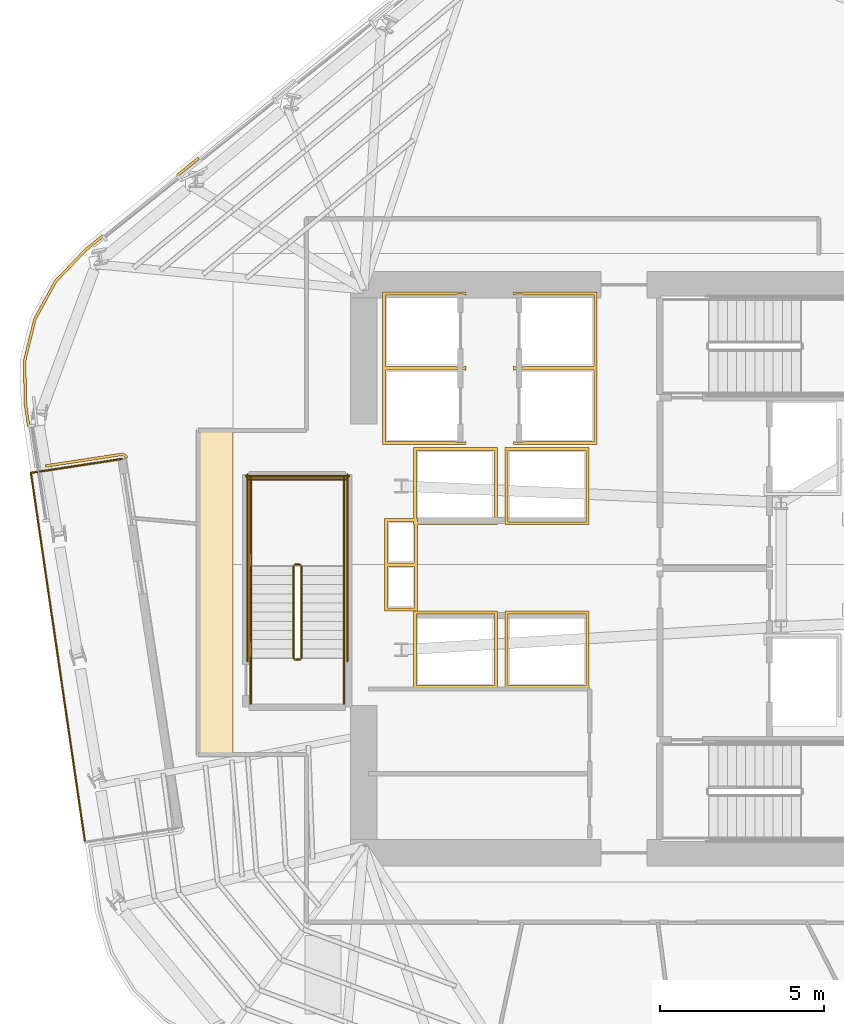
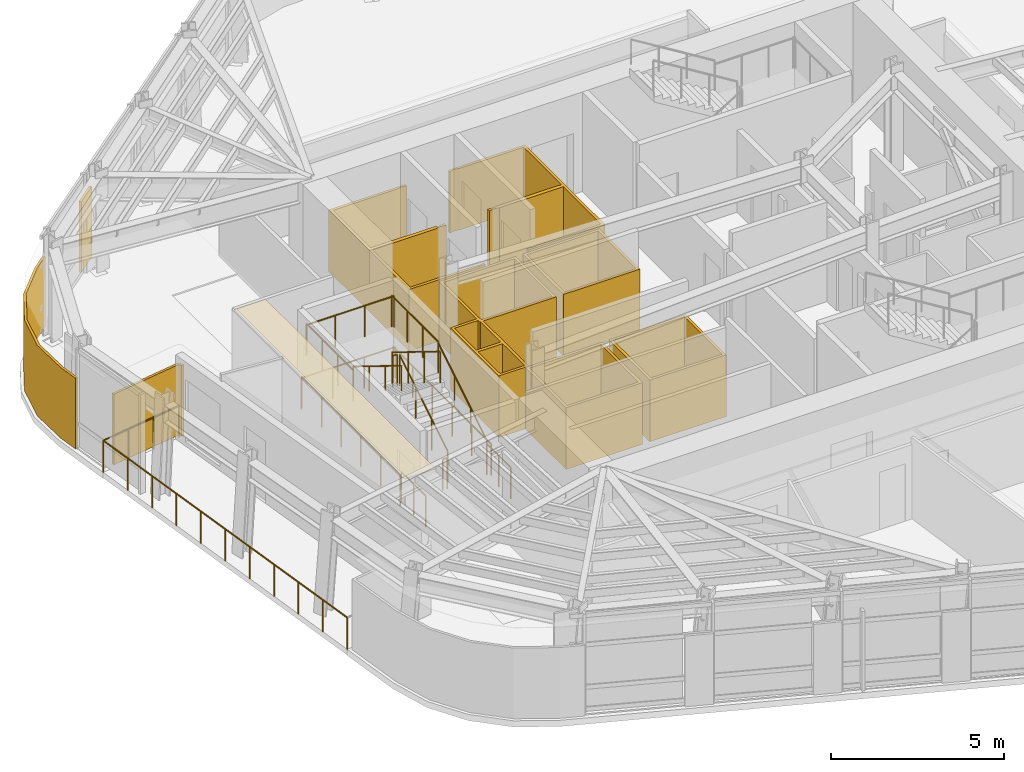
# One storey, part 12 of 15: 16 railings, 10 coverings.
"""IFC4 building model written with IfcOpenShell, lengths in metres."""

import ifcopenshell
import ifcopenshell.guid

model = None  # the IFC model being written
_history = None  # IfcOwnerHistory: only IFC2X3 demands one
_inside = {}  # id of a spatial element -> (the spatial element, [elements in it])
_under = {}  # id of a project, library or spatial element -> (it, [spatial elements below it])
_declared = {}  # id of a project -> (the project, [libraries it declares])
_typed = {}  # id of a type object -> (the type object, [elements of that type])
_made_of = {}  # id of a material, layer set ... -> (it, [elements and type objects made of it])


def new_model(schema):
    """Start an empty IFC model of exactly this schema.

    Asked for "IFC4X3", IfcOpenShell would pick the latest addendum, in which some entities
    have other attributes; the version numbers below select the first issue.
    IFC2X3 requires an IfcOwnerHistory on every rooted entity: one is made here for all.
    """
    global model, _history
    if schema == "IFC4X3":
        model = ifcopenshell.file(schema_version=(4, 3, 0, 0))
    else:
        model = ifcopenshell.file(schema=schema)
    _inside.clear()
    _under.clear()
    _declared.clear()
    _typed.clear()
    _made_of.clear()
    _history = None
    if model.schema == "IFC2X3":
        org = make("IfcOrganization", Name="unknown")
        user = make(
            "IfcPersonAndOrganization",
            ThePerson=make("IfcPerson", FamilyName="unknown"),
            TheOrganization=org,
        )
        app = make(
            "IfcApplication",
            ApplicationDeveloper=org,
            Version="unknown",
            ApplicationFullName="unknown",
            ApplicationIdentifier="unknown",
        )
        _history = make(
            "IfcOwnerHistory",
            OwningUser=user,
            OwningApplication=app,
            ChangeAction="ADDED",
            CreationDate=0,
        )
    return model


def make(cls, **values):
    """One entity of the class cls with the attributes given. An attribute that is None is left unset."""
    return model.create_entity(
        cls, **{name: value for name, value in values.items() if value is not None}
    )


def rooted(cls, **values):
    """An entity with a GlobalId (a new one), such as an element, a storey or a relation."""
    return make(cls, GlobalId=ifcopenshell.guid.new(), OwnerHistory=_history, **values)


def si_unit(unit_type, name, prefix=None):
    """IfcSIUnit, for example si_unit("LENGTHUNIT", "METRE", prefix="MILLI")."""
    return make("IfcSIUnit", UnitType=unit_type, Prefix=prefix, Name=name)


def assignment(units):
    """IfcUnitAssignment: the units of a project."""
    return None if units is None else make("IfcUnitAssignment", Units=units)


def point(xyz):
    """IfcCartesianPoint."""
    return None if xyz is None else make("IfcCartesianPoint", Coordinates=xyz)


def direction(xyz):
    """IfcDirection."""
    return None if xyz is None else make("IfcDirection", DirectionRatios=xyz)


def frame(location, z_axis=None, x_axis=None):
    """IfcAxis2Placement3D, a coordinate frame: its origin and axes. An axis left out is left unset."""
    return make(
        "IfcAxis2Placement3D",
        Location=point(location),
        Axis=direction(z_axis),
        RefDirection=direction(x_axis),
    )


def frame_2d(location, x_axis=None):
    """IfcAxis2Placement2D, a coordinate frame in the plane: its origin and x axis."""
    return make(
        "IfcAxis2Placement2D", Location=point(location), RefDirection=direction(x_axis)
    )


def origin():
    """The frame at (0, 0, 0) with its axes left unset."""
    return frame((0.0, 0.0, 0.0))


def origin_2d():
    """The frame at (0, 0) in the plane with its x axis left unset."""
    return frame_2d((0.0, 0.0))


def place(relative_to, where):
    """IfcLocalPlacement: puts the frame where relative to a parent placement (None: the world)."""
    return make(
        "IfcLocalPlacement", PlacementRelTo=relative_to, RelativePlacement=where
    )


def context(
    kind, dimensions, precision=None, world=None, true_north=None, identifier=None
):
    """IfcGeometricRepresentationContext, for example the 3D "Model" context."""
    return make(
        "IfcGeometricRepresentationContext",
        ContextIdentifier=identifier,
        ContextType=kind,
        CoordinateSpaceDimension=dimensions,
        Precision=precision,
        WorldCoordinateSystem=world,
        TrueNorth=true_north,
    )


def subcontext(parent, identifier, kind, view, scale=None):
    """IfcGeometricRepresentationSubContext, for example "Body" below "Model"."""
    return make(
        "IfcGeometricRepresentationSubContext",
        ContextIdentifier=identifier,
        ContextType=kind,
        ParentContext=parent,
        TargetScale=scale,
        TargetView=view,
    )


def project(units=None, contexts=None):
    """IfcProject with its units and contexts."""
    return rooted(
        "IfcProject",
        Name="project",
        RepresentationContexts=contexts,
        UnitsInContext=assignment(units),
    )


def spatial(cls, under=None, at=None, **own):
    """A site, building, storey or space (cls), placed at a placement, below another one or the project."""
    s = rooted(cls, ObjectPlacement=at, **own)
    if under is not None:
        _under.setdefault(under.id(), (under, []))[1].append(s)
    return s


def polyline(points):
    """IfcPolyline through the points."""
    return make("IfcPolyline", Points=[point(p) for p in points])


def profile(cls, at=None, kind="AREA", **sizes):
    """A parametric profile (cls). Its sizes go by their IFC names, for example OverallWidth=200.0."""
    return make(cls, ProfileType=kind, Position=at, **sizes)


def circle(**sizes):
    """IfcCircleProfileDef."""
    return profile("IfcCircleProfileDef", **sizes)


def outline(outer, holes=None, kind="AREA"):
    """IfcArbitraryClosedProfileDef: a profile drawn as a closed curve; with holes, ...WithVoids."""
    if holes is None:
        return make("IfcArbitraryClosedProfileDef", ProfileType=kind, OuterCurve=outer)
    return make(
        "IfcArbitraryProfileDefWithVoids",
        ProfileType=kind,
        OuterCurve=outer,
        InnerCurves=holes,
    )


def extrude(swept, where, along, depth):
    """IfcExtrudedAreaSolid: the profile swept, set in the frame where, extruded along a direction by depth."""
    return make(
        "IfcExtrudedAreaSolid",
        SweptArea=swept,
        Position=where,
        ExtrudedDirection=direction(along),
        Depth=depth,
    )


def shape(context_of_items, identifier, shape_type, items):
    """IfcShapeRepresentation: the items that make up one representation, for example the "Body"."""
    return make(
        "IfcShapeRepresentation",
        ContextOfItems=context_of_items,
        RepresentationIdentifier=identifier,
        RepresentationType=shape_type,
        Items=items,
    )


def material(Name=None, Category=None):
    """IfcMaterial."""
    return make("IfcMaterial", Name=Name, Category=Category)


def layer(
    of_material, thickness, ventilated=None, Name=None, Category=None, Priority=None
):
    """IfcMaterialLayer: one layer of a wall or slab, of a material (None: an air gap)."""
    return make(
        "IfcMaterialLayer",
        Material=of_material,
        LayerThickness=thickness,
        IsVentilated=ventilated,
        Name=Name,
        Category=Category,
        Priority=Priority,
    )


def layer_set(layers, Name=None):
    """IfcMaterialLayerSet."""
    return make("IfcMaterialLayerSet", MaterialLayers=layers, LayerSetName=Name)


def made_of(thing, what):
    """Note that an element or type object is made of a material, layer set ...; save() writes the relation."""
    if what is not None:
        _made_of.setdefault(what.id(), (what, []))[1].append(thing)
    return thing


def type_object(cls, material=None, **own):
    """A type object (cls), such as IfcWallType, which elements share."""
    return made_of(rooted(cls, **own), material)


def element(
    cls,
    number,
    at=None,
    inside=None,
    cuts=None,
    type_object=None,
    material=None,
    context=None,
    identifier="Body",
    shape_type=None,
    held_by="IfcProductDefinitionShape",
    body=None,
    shapes=None,
    **own,
):
    """One element of the class cls, such as IfcWall. Its Tag is "e" and its number.

    at: its placement. inside: the storey or other place that contains it. cuts: it is an
    opening in that element (IfcRelVoidsElement). A single representation is given by context,
    identifier, shape_type and body (its items); several are given by shapes. held_by: the class
    of the entity that holds the representations. save() writes the other relations.
    """
    e = rooted(cls, Tag="e%d" % number, ObjectPlacement=at, **own)
    if body is not None:
        shapes = [shape(context, identifier, shape_type, body)]
    if shapes is not None:
        e.Representation = make(held_by, Representations=shapes)
    if inside is not None:
        _inside.setdefault(inside.id(), (inside, []))[1].append(e)
    if cuts is not None:
        rooted(
            "IfcRelVoidsElement", RelatingBuildingElement=cuts, RelatedOpeningElement=e
        )
    if type_object is not None:
        _typed.setdefault(type_object.id(), (type_object, []))[1].append(e)
    return made_of(e, material)


def aggregate(whole, parts):
    """IfcRelAggregates: a whole, such as a stair, and the parts it consists of."""
    return rooted("IfcRelAggregates", RelatingObject=whole, RelatedObjects=parts)


def save(model, path):
    """Write the relations noted so far, then the file.

    IfcRelAggregates (storeys below a building ...), IfcRelContainedInSpatialStructure (elements
    in a storey), IfcRelDefinesByType, IfcRelAssociatesMaterial and IfcRelDeclares: one each for
    every whole, place, type object, material and project.
    """
    for whole, parts in _under.values():
        aggregate(whole, parts)
    for where, things in _inside.values():
        rooted(
            "IfcRelContainedInSpatialStructure",
            RelatedElements=things,
            RelatingStructure=where,
        )
    for kind, things in _typed.values():
        rooted("IfcRelDefinesByType", RelatedObjects=things, RelatingType=kind)
    for what, things in _made_of.values():
        rooted("IfcRelAssociatesMaterial", RelatedObjects=things, RelatingMaterial=what)
    for by, libraries in _declared.values():
        rooted("IfcRelDeclares", RelatingContext=by, RelatedDefinitions=libraries)
    model.write(path)


model = new_model("IFC4")

# Units and contexts
model_context = context("Model", 3, precision=1e-05, world=origin(), true_north=direction((0.0, 1.0)))
body_context = subcontext(model_context, "Body", "Model", "MODEL_VIEW")
ifc_project = project(units=[si_unit("LENGTHUNIT", "METRE"), si_unit("AREAUNIT", "SQUARE_METRE"), si_unit("VOLUMEUNIT", "CUBIC_METRE"), si_unit("PLANEANGLEUNIT", "RADIAN"), si_unit("MASSUNIT", "GRAM", prefix="KILO")], contexts=[model_context])

# Site, building, storey
site_placement = place(None, origin())
site = spatial("IfcSite", under=ifc_project, at=site_placement, CompositionType="ELEMENT")
building_placement = place(site_placement, origin())
building = spatial("IfcBuilding", under=site, at=building_placement, Name="Valkerne Bourse Tower", CompositionType="ELEMENT")
storey_placement = place(building_placement, frame((0.0, 0.0, 189.39990234375)))
storey = spatial("IfcBuildingStorey", under=building, at=storey_placement, Name="L48", CompositionType="ELEMENT", Elevation=189.39990234375)

# Coverings
ifc_material_1 = material(Name="Bronze Anodised Aluminium AA 6063-T6", Category="aluminium")
ifc_layer_1 = layer(ifc_material_1, 0.030029296875)
ifc_layer_set_1 = layer_set([ifc_layer_1], Name="Bronze Anodised Aluminium AA 6063-T6")
covering_type_1 = type_object("IfcCoveringType", Name="COV-CEIL-METAL", PredefinedType="CEILING", material=ifc_layer_set_1)
covering_1_placement = place(storey_placement, frame((0.0, 0.0, 3.170166015625)))
element("IfcCovering", 1, at=covering_1_placement, inside=storey, type_object=covering_type_1, Name="L48 Suspended Ceiling 02", PredefinedType="CEILING", context=body_context, shape_type="SweptSolid", body=[
    extrude(outline(polyline([(32.553955078125, 21.2041015625), (32.553955078125, 31.095947265625), (33.60009765625, 31.095947265625), (33.60009765625, 21.2041015625), (32.553955078125, 21.2041015625)])), origin(), (0.0, 0.0, 1.0), 0.02490234375),
])
ifc_layer_2 = layer(ifc_material_1, 0.06005859375)
ifc_layer_set_2 = layer_set([ifc_layer_2], Name="Bronze Anodised Aluminium AA 6063-T6")
covering_type_2 = type_object("IfcCoveringType", Name="COV-CRN-ALUM", PredefinedType="CLADDING", material=ifc_layer_set_2)
covering_2_placement = place(storey_placement, origin())
element("IfcCovering", 2, at=covering_2_placement, inside=storey, type_object=covering_type_2, Name="L48 Wind-Shaped Corner Aluminium Cladding 01", PredefinedType="CLADDING", context=body_context, shape_type="SweptSolid", body=[
    extrude(outline(polyline([(27.51904296875, 34.517333984375), (28.16015625, 35.683837890625), (29.08642578125, 36.649658203125), (29.605712890625, 37.0712890625), (29.65576171875, 37.0087890625), (29.140625, 36.590576171875), (28.22509765625, 35.635986328125), (27.59423828125, 34.488037109375), (27.28173828125, 33.2158203125), (27.309326171875, 31.8935546875), (27.405517578125, 31.2373046875), (27.326416015625, 31.22509765625), (27.2294921875, 31.88671875), (27.201416015625, 33.224609375), (27.51904296875, 34.517333984375)])), origin(), (0.0, 0.0, 1.0), 2.5),
])
covering_3_placement = place(storey_placement, origin())
element("IfcCovering", 3, at=covering_3_placement, inside=storey, type_object=covering_type_2, Name="L48 Wind-Shaped Corner Aluminium Cladding 02", PredefinedType="CLADDING", context=body_context, shape_type="SweptSolid", body=[
    extrude(outline(polyline([(32.533447265625, 39.447998046875), (32.58349609375, 39.385498046875), (31.931396484375, 38.856201171875), (31.88134765625, 38.91845703125), (32.533447265625, 39.447998046875)])), origin(), (0.0, 0.0, 1.0), 2.5),
])
covering_4_placement = place(storey_placement, origin())
element("IfcCovering", 4, at=covering_4_placement, inside=storey, type_object=covering_type_2, Name="L48 Wind-Shaped Corner Aluminium Cladding 22", PredefinedType="CLADDING", context=body_context, shape_type="SweptSolid", body=[
    extrude(outline(polyline([(30.3115234375, 30.253173828125), (30.30859375, 30.262451171875), (30.304931640625, 30.271484375), (30.30029296875, 30.2802734375), (30.294677734375, 30.288330078125), (30.28857421875, 30.2958984375), (30.281494140625, 30.302734375), (30.27392578125, 30.30908203125), (30.265625, 30.314453125), (30.257080078125, 30.319091796875), (30.248046875, 30.32275390625), (30.238525390625, 30.325439453125), (30.22900390625, 30.327392578125), (30.21923828125, 30.328369140625), (30.209228515625, 30.328369140625), (30.19970703125, 30.3271484375), (27.889404296875, 29.973876953125), (27.877197265625, 30.052978515625), (30.1875, 30.40625), (30.205078125, 30.408203125), (30.22265625, 30.408203125), (30.240234375, 30.406494140625), (30.257568359375, 30.4033203125), (30.274658203125, 30.398193359375), (30.291015625, 30.3916015625), (30.306396484375, 30.38330078125), (30.3212890625, 30.37353515625), (30.3349609375, 30.3623046875), (30.347412109375, 30.349853515625), (30.35888671875, 30.336181640625), (30.36865234375, 30.321533203125), (30.377197265625, 30.30615234375), (30.3837890625, 30.289794921875), (30.38916015625, 30.27294921875), (30.392578125, 30.255615234375), (30.3134765625, 30.243408203125), (30.3115234375, 30.253173828125)])), origin(), (0.0, 0.0, 1.0), 2.5),
])
ifc_material_2 = material(Name="Gypsum Shaftwall Liner Board", Category="gypsum")
ifc_layer_3 = layer(ifc_material_2, 0.080078125)
ifc_layer_set_3 = layer_set([ifc_layer_3], Name="Gypsum Shaftwall Liner Board")
covering_type_3 = type_object("IfcCoveringType", Name="COV-SHF-CLAD", PredefinedType="CLADDING", material=ifc_layer_set_3)
covering_5_placement = place(storey_placement, origin())
element("IfcCovering", 5, at=covering_5_placement, inside=storey, type_object=covering_type_3, Name="L48 Hoistway & Riser Shaftwall Liner 01", PredefinedType="CLADDING", context=body_context, shape_type="SweptSolid", body=[
    extrude(outline(polyline([(41.679931640625, 25.580078125), (41.679931640625, 23.219970703125), (39.1201171875, 23.219970703125), (39.1201171875, 25.580078125), (41.679931640625, 25.580078125)]), holes=[polyline([(41.590087890625, 25.489990234375), (39.2099609375, 25.489990234375), (39.2099609375, 23.31005859375), (41.590087890625, 23.31005859375), (41.590087890625, 25.489990234375)])]), origin(), (0.0, 0.0, 1.0), 2.18017578125),
])
covering_6_placement = place(storey_placement, origin())
element("IfcCovering", 6, at=covering_6_placement, inside=storey, type_object=covering_type_3, Name="L48 Hoistway & Riser Shaftwall Liner 02", PredefinedType="CLADDING", context=body_context, shape_type="SweptSolid", body=[
    extrude(outline(polyline([(44.47998046875, 23.219970703125), (41.919921875, 23.219970703125), (41.919921875, 25.580078125), (44.47998046875, 25.580078125), (44.47998046875, 23.219970703125)]), holes=[polyline([(42.010009765625, 25.489990234375), (42.010009765625, 23.31005859375), (44.389892578125, 23.31005859375), (44.389892578125, 25.489990234375), (42.010009765625, 25.489990234375)])]), origin(), (0.0, 0.0, 1.0), 2.18017578125),
])
covering_7_placement = place(storey_placement, origin())
element("IfcCovering", 7, at=covering_7_placement, inside=storey, type_object=covering_type_3, Name="L48 Hoistway & Riser Shaftwall Liner 03", PredefinedType="CLADDING", context=body_context, shape_type="SweptSolid", body=[
    extrude(outline(polyline([(38.239990234375, 28.409912109375), (39.1201171875, 28.409912109375), (39.1201171875, 30.580078125), (41.679931640625, 30.580078125), (41.679931640625, 28.219970703125), (39.239990234375, 28.219970703125), (39.239990234375, 27.0400390625), (39.239990234375, 26.9599609375), (39.239990234375, 25.590087890625), (38.239990234375, 25.590087890625), (38.239990234375, 26.9599609375), (38.239990234375, 27.0400390625), (38.239990234375, 28.409912109375)]), holes=[polyline([(38.330078125, 26.949951171875), (38.330078125, 25.679931640625), (39.14990234375, 25.679931640625), (39.14990234375, 26.949951171875), (38.330078125, 26.949951171875)]), polyline([(39.2099609375, 30.489990234375), (39.2099609375, 28.409912109375), (39.239990234375, 28.409912109375), (39.239990234375, 28.31005859375), (41.590087890625, 28.31005859375), (41.590087890625, 30.489990234375), (39.2099609375, 30.489990234375)]), polyline([(38.330078125, 27.050048828125), (39.14990234375, 27.050048828125), (39.14990234375, 28.219970703125), (39.1201171875, 28.219970703125), (39.1201171875, 28.320068359375), (38.330078125, 28.320068359375), (38.330078125, 27.050048828125)])]), origin(), (0.0, 0.0, 1.0), 2.18017578125),
])
covering_8_placement = place(storey_placement, origin())
element("IfcCovering", 8, at=covering_8_placement, inside=storey, type_object=covering_type_3, Name="L48 Hoistway & Riser Shaftwall Liner 04", PredefinedType="CLADDING", context=body_context, shape_type="SweptSolid", body=[
    extrude(outline(polyline([(38.169921875, 35.330078125), (40.72998046875, 35.330078125), (40.72998046875, 35.232177734375), (40.72216796875, 35.235595703125), (40.6806640625, 35.25048828125), (40.6376953125, 35.261474609375), (40.593994140625, 35.267822265625), (40.550048828125, 35.27001953125), (40.505859375, 35.267822265625), (40.462158203125, 35.261474609375), (40.41943359375, 35.25048828125), (40.3896484375, 35.239990234375), (38.260009765625, 35.239990234375), (38.260009765625, 33.06005859375), (40.3896484375, 33.06005859375), (40.41943359375, 33.04931640625), (40.462158203125, 33.03857421875), (40.505859375, 33.0322265625), (40.550048828125, 33.030029296875), (40.593994140625, 33.0322265625), (40.6376953125, 33.03857421875), (40.6806640625, 33.04931640625), (40.72216796875, 33.064208984375), (40.72998046875, 33.06787109375), (40.72998046875, 33.030029296875), (40.72998046875, 32.969970703125), (40.72998046875, 32.93212890625), (40.72216796875, 32.935791015625), (40.6806640625, 32.95068359375), (40.6376953125, 32.96142578125), (40.593994140625, 32.9677734375), (40.550048828125, 32.969970703125), (40.505859375, 32.9677734375), (40.462158203125, 32.96142578125), (40.41943359375, 32.95068359375), (40.3896484375, 32.93994140625), (38.260009765625, 32.93994140625), (38.260009765625, 30.760009765625), (40.3896484375, 30.760009765625), (40.41943359375, 30.74951171875), (40.462158203125, 30.738525390625), (40.505859375, 30.732177734375), (40.550048828125, 30.72998046875), (40.593994140625, 30.732177734375), (40.6376953125, 30.738525390625), (40.6806640625, 30.74951171875), (40.72216796875, 30.764404296875), (40.72998046875, 30.767822265625), (40.72998046875, 30.669921875), (38.169921875, 30.669921875), (38.169921875, 32.969970703125), (38.169921875, 33.030029296875), (38.169921875, 35.330078125)])), origin(), (0.0, 0.0, 1.0), 2.18017578125),
])
covering_9_placement = place(storey_placement, origin())
element("IfcCovering", 9, at=covering_9_placement, inside=storey, type_object=covering_type_3, Name="L48 Hoistway & Riser Shaftwall Liner 07", PredefinedType="CLADDING", context=body_context, shape_type="SweptSolid", body=[
    extrude(outline(polyline([(44.47998046875, 28.219970703125), (41.919921875, 28.219970703125), (41.919921875, 30.580078125), (44.47998046875, 30.580078125), (44.47998046875, 28.219970703125)]), holes=[polyline([(42.010009765625, 30.489990234375), (42.010009765625, 28.31005859375), (44.389892578125, 28.31005859375), (44.389892578125, 30.489990234375), (42.010009765625, 30.489990234375)])]), origin(), (0.0, 0.0, 1.0), 2.18017578125),
])
covering_10_placement = place(storey_placement, origin())
element("IfcCovering", 10, at=covering_10_placement, inside=storey, type_object=covering_type_3, Name="L48 Hoistway & Riser Shaftwall Liner 09", PredefinedType="CLADDING", context=body_context, shape_type="SweptSolid", body=[
    extrude(outline(polyline([(42.169921875, 33.06787109375), (42.177734375, 33.064208984375), (42.219482421875, 33.04931640625), (42.26220703125, 33.03857421875), (42.305908203125, 33.0322265625), (42.35009765625, 33.030029296875), (42.39404296875, 33.0322265625), (42.437744140625, 33.03857421875), (42.480712890625, 33.04931640625), (42.51025390625, 33.06005859375), (44.639892578125, 33.06005859375), (44.639892578125, 35.239990234375), (42.51025390625, 35.239990234375), (42.480712890625, 35.25048828125), (42.437744140625, 35.261474609375), (42.39404296875, 35.267822265625), (42.35009765625, 35.27001953125), (42.305908203125, 35.267822265625), (42.26220703125, 35.261474609375), (42.219482421875, 35.25048828125), (42.177734375, 35.235595703125), (42.169921875, 35.232177734375), (42.169921875, 35.330078125), (44.72998046875, 35.330078125), (44.72998046875, 33.030029296875), (44.72998046875, 32.969970703125), (44.72998046875, 30.669921875), (42.169921875, 30.669921875), (42.169921875, 30.767822265625), (42.177734375, 30.764404296875), (42.219482421875, 30.74951171875), (42.26220703125, 30.738525390625), (42.305908203125, 30.732177734375), (42.35009765625, 30.72998046875), (42.39404296875, 30.732177734375), (42.437744140625, 30.738525390625), (42.480712890625, 30.74951171875), (42.51025390625, 30.760009765625), (44.639892578125, 30.760009765625), (44.639892578125, 32.93994140625), (42.51025390625, 32.93994140625), (42.480712890625, 32.95068359375), (42.437744140625, 32.96142578125), (42.39404296875, 32.9677734375), (42.35009765625, 32.969970703125), (42.305908203125, 32.9677734375), (42.26220703125, 32.96142578125), (42.219482421875, 32.95068359375), (42.177734375, 32.935791015625), (42.169921875, 32.93212890625), (42.169921875, 32.969970703125), (42.169921875, 33.030029296875), (42.169921875, 33.06787109375)])), origin(), (0.0, 0.0, 1.0), 2.18017578125),
])

# Railings
ifc_material_3 = material(Name="Laminated Tempered Safety Glass", Category="glass")
railing_type_1 = type_object("IfcRailingType", Name="RLG-GUARD-1150", PredefinedType="BALUSTRADE", material=ifc_material_3)
railing_1_placement = place(storey_placement, frame((27.43359375, 29.802978515625, 0.0)))
element("IfcRailing", 11, at=railing_1_placement, inside=storey, type_object=railing_type_1, Name="L48 V-Notch Terrace Glass Balustrade 1", PredefinedType="BALUSTRADE", context=body_context, shape_type="SweptSolid", body=[
    extrude(circle(Radius=0.02392578125, at=origin_2d()), frame((0.0, 0.0, 1.1259765625), z_axis=(0.988494768331, 0.151255059363, 0.0), x_axis=(-0.151255059363, 0.988494768331, 0.0)), (0.0, 0.0, 1.0), 2.8134765625),
    extrude(circle(Radius=0.02099609375, at=origin_2d()), origin(), (0.0, 0.0, 1.0), 1.101806640625),
    extrude(circle(Radius=0.02099609375, at=origin_2d()), frame((0.927001953125, 0.141845703125, 0.0)), (0.0, 0.0, 1.0), 1.101806640625),
    extrude(circle(Radius=0.02099609375, at=origin_2d()), frame((1.85400390625, 0.28369140625, 0.0)), (0.0, 0.0, 1.0), 1.101806640625),
    extrude(circle(Radius=0.02099609375, at=origin_2d()), frame((2.781005859375, 0.425537109375, 0.0)), (0.0, 0.0, 1.0), 1.101806640625),
])
railing_2_placement = place(storey_placement, frame((29.085205078125, 18.52294921875, 0.0)))
element("IfcRailing", 12, at=railing_2_placement, inside=storey, type_object=railing_type_1, Name="L48 V-Notch Terrace Glass Balustrade 3", PredefinedType="BALUSTRADE", context=body_context, shape_type="SweptSolid", body=[
    extrude(circle(Radius=0.02392578125, at=origin_2d()), frame((0.0, 0.0, 1.1259765625), z_axis=(-0.144874351439, 0.989450060536, 0.0), x_axis=(-0.989450060536, -0.144874351439, 0.0)), (0.0, 0.0, 1.0), 11.400390625),
    extrude(circle(Radius=0.02099609375, at=origin_2d()), origin(), (0.0, 0.0, 1.0), 1.101806640625),
    extrude(circle(Radius=0.02099609375, at=origin_2d()), frame((-0.1650390625, 1.1279296875, 0.0)), (0.0, 0.0, 1.0), 1.101806640625),
    extrude(circle(Radius=0.02099609375, at=origin_2d()), frame((-0.330322265625, 2.256103515625, 0.0)), (0.0, 0.0, 1.0), 1.101806640625),
    extrude(circle(Radius=0.02099609375, at=origin_2d()), frame((-0.49560546875, 3.384033203125, 0.0)), (0.0, 0.0, 1.0), 1.101806640625),
    extrude(circle(Radius=0.02099609375, at=origin_2d()), frame((-0.66064453125, 4.511962890625, 0.0)), (0.0, 0.0, 1.0), 1.101806640625),
    extrude(circle(Radius=0.02099609375, at=origin_2d()), frame((-0.82568359375, 5.64013671875, 0.0)), (0.0, 0.0, 1.0), 1.101806640625),
    extrude(circle(Radius=0.02099609375, at=origin_2d()), frame((-0.990966796875, 6.76806640625, 0.0)), (0.0, 0.0, 1.0), 1.101806640625),
    extrude(circle(Radius=0.02099609375, at=origin_2d()), frame((-1.15625, 7.89599609375, 0.0)), (0.0, 0.0, 1.0), 1.101806640625),
    extrude(circle(Radius=0.02099609375, at=origin_2d()), frame((-1.3212890625, 9.02392578125, 0.0)), (0.0, 0.0, 1.0), 1.101806640625),
    extrude(circle(Radius=0.02099609375, at=origin_2d()), frame((-1.486328125, 10.152099609375, 0.0)), (0.0, 0.0, 1.0), 1.101806640625),
    extrude(circle(Radius=0.02099609375, at=origin_2d()), frame((-1.651611328125, 11.280029296875, 0.0)), (0.0, 0.0, 1.0), 1.101806640625),
])
ifc_material_4 = material(Name="Galvanised Painted Steel", Category="steel")
railing_type_2 = type_object("IfcRailingType", Name="RLG-ST-GUARD-1120", PredefinedType="GUARDRAIL", material=ifc_material_4)
railing_3_placement = place(storey_placement, frame((35.699951171875, 24.14990234375, 0.1728515625)))
element("IfcRailing", 13, at=railing_3_placement, inside=storey, type_object=railing_type_2, Name="L48 ST-3 stair guard 1", PredefinedType="GUARDRAIL", context=body_context, shape_type="SweptSolid", body=[
    extrude(circle(Radius=0.02392578125, at=origin_2d()), frame((0.0, 0.0, 1.09619140625), z_axis=(0.0, 0.851089632645, 0.525020415988), x_axis=(-1.0, 0.0, 0.0)), (0.0, 0.0, 1.0), 3.2900390625),
    extrude(circle(Radius=0.02099609375, at=origin_2d()), origin(), (0.0, 0.0, 1.0), 1.072021484375),
    extrude(circle(Radius=0.02099609375, at=origin_2d()), frame((0.0, 0.933349609375, 0.57568359375)), (0.0, 0.0, 1.0), 1.072021484375),
    extrude(circle(Radius=0.02099609375, at=origin_2d()), frame((0.0, 1.86669921875, 1.151611328125)), (0.0, 0.0, 1.0), 1.072021484375),
    extrude(circle(Radius=0.02099609375, at=origin_2d()), frame((0.0, 2.800048828125, 1.727294921875)), (0.0, 0.0, 1.0), 1.072021484375),
])
railing_4_placement = place(storey_placement, frame((35.64990234375, 27.0, 1.900146484375)))
element("IfcRailing", 14, at=railing_4_placement, inside=storey, type_object=railing_type_2, Name="L48 ST-3 stair guard 2", PredefinedType="GUARDRAIL", context=body_context, shape_type="SweptSolid", body=[
    extrude(circle(Radius=0.02392578125, at=origin_2d()), frame((0.0, 0.0, 1.09619140625), z_axis=(-1.0, 0.0, 0.0), x_axis=(0.0, -1.0, 0.0)), (0.0, 0.0, 1.0), 0.14990234375),
    extrude(circle(Radius=0.02099609375, at=origin_2d()), origin(), (0.0, 0.0, 1.0), 1.072021484375),
    extrude(circle(Radius=0.02099609375, at=origin_2d()), frame((-0.14990234375, 0.0, 0.0)), (0.0, 0.0, 1.0), 1.072021484375),
])
for number, where, name in (
    (15, (37.0, 26.949951171875, 1.900146484375), "L48 ST-3 stair guard 3"),
    (16, (34.14990234375, 26.949951171875, 1.900146484375), "L48 ST-3 stair guard 4"),
):
    element("IfcRailing", number, at=place(storey_placement, frame(where)), inside=storey, type_object=railing_type_2, Name=name, PredefinedType="GUARDRAIL", context=body_context, shape_type="SweptSolid", body=[
        extrude(circle(Radius=0.02392578125, at=origin_2d()), frame((0.0, 0.0, 1.09619140625), z_axis=(0.0, 1.0, 0.0), x_axis=(-1.0, 0.0, 0.0)), (0.0, 0.0, 1.0), 2.699951171875),
        extrude(circle(Radius=0.02099609375, at=origin_2d()), origin(), (0.0, 0.0, 1.0), 1.072021484375),
        extrude(circle(Radius=0.02099609375, at=origin_2d()), frame((0.0, 0.89990234375, 0.0)), (0.0, 0.0, 1.0), 1.072021484375),
        extrude(circle(Radius=0.02099609375, at=origin_2d()), frame((0.0, 1.800048828125, 0.0)), (0.0, 0.0, 1.0), 1.072021484375),
        extrude(circle(Radius=0.02099609375, at=origin_2d()), frame((0.0, 2.699951171875, 0.0)), (0.0, 0.0, 1.0), 1.072021484375),
    ])
railing_5_placement = place(storey_placement, frame((37.050048828125, 29.60009765625, 1.900146484375)))
element("IfcRailing", 17, at=railing_5_placement, inside=storey, type_object=railing_type_2, Name="L48 ST-3 stair guard 5", PredefinedType="GUARDRAIL", context=body_context, shape_type="SweptSolid", body=[
    extrude(circle(Radius=0.02392578125, at=origin_2d()), frame((0.0, 0.0, 1.09619140625), z_axis=(-1.0, 0.0, 0.0), x_axis=(0.0, -1.0, 0.0)), (0.0, 0.0, 1.0), 2.949951171875),
    extrude(circle(Radius=0.02099609375, at=origin_2d()), origin(), (0.0, 0.0, 1.0), 1.072021484375),
    extrude(circle(Radius=0.02099609375, at=origin_2d()), frame((-0.9833984375, 0.0, 0.0)), (0.0, 0.0, 1.0), 1.072021484375),
    extrude(circle(Radius=0.02099609375, at=origin_2d()), frame((-1.966552734375, 0.0, 0.0)), (0.0, 0.0, 1.0), 1.072021484375),
    extrude(circle(Radius=0.02099609375, at=origin_2d()), frame((-2.949951171875, 0.0, 0.0)), (0.0, 0.0, 1.0), 1.072021484375),
])
railing_6_placement = place(storey_placement, frame((35.449951171875, 26.949951171875, 2.07275390625)))
element("IfcRailing", 18, at=railing_6_placement, inside=storey, type_object=railing_type_2, Name="L48 ST-3 stair guard 6", PredefinedType="GUARDRAIL", context=body_context, shape_type="SweptSolid", body=[
    extrude(circle(Radius=0.02392578125, at=origin_2d()), frame((0.0, 0.0, 1.09619140625), z_axis=(0.0, -0.851089632645, 0.525020415988), x_axis=(1.0, 0.0, 0.0)), (0.0, 0.0, 1.0), 3.2900390625),
    extrude(circle(Radius=0.02099609375, at=origin_2d()), origin(), (0.0, 0.0, 1.0), 1.072021484375),
    extrude(circle(Radius=0.02099609375, at=origin_2d()), frame((0.0, -0.933349609375, 0.57568359375)), (0.0, 0.0, 1.0), 1.072021484375),
    extrude(circle(Radius=0.02099609375, at=origin_2d()), frame((0.0, -1.86669921875, 1.151611328125)), (0.0, 0.0, 1.0), 1.072021484375),
    extrude(circle(Radius=0.02099609375, at=origin_2d()), frame((0.0, -2.800048828125, 1.727294921875)), (0.0, 0.0, 1.0), 1.072021484375),
])
railing_7_placement = place(storey_placement, frame((35.64990234375, 24.10009765625, 0.0)))
element("IfcRailing", 19, at=railing_7_placement, inside=storey, type_object=railing_type_2, Name="L48 ST-3 stair guard 7", PredefinedType="GUARDRAIL", context=body_context, shape_type="SweptSolid", body=[
    extrude(circle(Radius=0.02392578125, at=origin_2d()), frame((0.0, 0.0, 1.09619140625), z_axis=(-1.0, 0.0, 0.0), x_axis=(0.0, -1.0, 0.0)), (0.0, 0.0, 1.0), 0.14990234375),
    extrude(circle(Radius=0.02099609375, at=origin_2d()), origin(), (0.0, 0.0, 1.0), 1.072021484375),
    extrude(circle(Radius=0.02099609375, at=origin_2d()), frame((-0.14990234375, 0.0, 0.0)), (0.0, 0.0, 1.0), 1.072021484375),
])
for number, where, name in (
    (20, (37.0, 22.75, 0.0), "L48 ST-3 stair guard 8"),
    (21, (34.14990234375, 22.75, 0.0), "L48 ST-3 stair guard 9"),
):
    element("IfcRailing", number, at=place(storey_placement, frame(where)), inside=storey, type_object=railing_type_2, Name=name, PredefinedType="GUARDRAIL", context=body_context, shape_type="SweptSolid", body=[
        extrude(circle(Radius=0.02392578125, at=origin_2d()), frame((0.0, 0.0, 1.09619140625), z_axis=(0.0, 1.0, 0.0), x_axis=(-1.0, 0.0, 0.0)), (0.0, 0.0, 1.0), 1.39990234375),
        extrude(circle(Radius=0.02099609375, at=origin_2d()), origin(), (0.0, 0.0, 1.0), 1.072021484375),
        extrude(circle(Radius=0.02099609375, at=origin_2d()), frame((0.0, 0.699951171875, 0.0)), (0.0, 0.0, 1.0), 1.072021484375),
        extrude(circle(Radius=0.02099609375, at=origin_2d()), frame((0.0, 1.39990234375, 0.0)), (0.0, 0.0, 1.0), 1.072021484375),
    ])
for number, where, name in (
    (22, (37.10009765625, 24.050048828125, 0.0), "L48 ST-3 stair guard 10"),
    (23, (34.050048828125, 24.050048828125, 0.0), "L48 ST-3 stair guard 11"),
):
    element("IfcRailing", number, at=place(storey_placement, frame(where)), inside=storey, type_object=railing_type_2, Name=name, PredefinedType="GUARDRAIL", context=body_context, shape_type="SweptSolid", body=[
        extrude(circle(Radius=0.02392578125, at=origin_2d()), frame((0.0, 0.0, 1.09619140625), z_axis=(0.0, 1.0, 0.0), x_axis=(-1.0, 0.0, 0.0)), (0.0, 0.0, 1.0), 5.699951171875),
        extrude(circle(Radius=0.02099609375, at=origin_2d()), origin(), (0.0, 0.0, 1.0), 1.072021484375),
        extrude(circle(Radius=0.02099609375, at=origin_2d()), frame((0.0, 1.139892578125, 0.0)), (0.0, 0.0, 1.0), 1.072021484375),
        extrude(circle(Radius=0.02099609375, at=origin_2d()), frame((0.0, 2.280029296875, 0.0)), (0.0, 0.0, 1.0), 1.072021484375),
        extrude(circle(Radius=0.02099609375, at=origin_2d()), frame((0.0, 3.419921875, 0.0)), (0.0, 0.0, 1.0), 1.072021484375),
        extrude(circle(Radius=0.02099609375, at=origin_2d()), frame((0.0, 4.56005859375, 0.0)), (0.0, 0.0, 1.0), 1.072021484375),
        extrude(circle(Radius=0.02099609375, at=origin_2d()), frame((0.0, 5.699951171875, 0.0)), (0.0, 0.0, 1.0), 1.072021484375),
    ])
railing_8_placement = place(storey_placement, frame((37.14990234375, 29.699951171875, 0.0)))
element("IfcRailing", 24, at=railing_8_placement, inside=storey, type_object=railing_type_2, Name="L48 ST-3 stair guard 12", PredefinedType="GUARDRAIL", context=body_context, shape_type="SweptSolid", body=[
    extrude(circle(Radius=0.02392578125, at=origin_2d()), frame((0.0, 0.0, 1.09619140625), z_axis=(-1.0, 0.0, 0.0), x_axis=(0.0, -1.0, 0.0)), (0.0, 0.0, 1.0), 3.14990234375),
    extrude(circle(Radius=0.02099609375, at=origin_2d()), origin(), (0.0, 0.0, 1.0), 1.072021484375),
    extrude(circle(Radius=0.02099609375, at=origin_2d()), frame((-1.050048828125, 0.0, 0.0)), (0.0, 0.0, 1.0), 1.072021484375),
    extrude(circle(Radius=0.02099609375, at=origin_2d()), frame((-2.099853515625, 0.0, 0.0)), (0.0, 0.0, 1.0), 1.072021484375),
    extrude(circle(Radius=0.02099609375, at=origin_2d()), frame((-3.14990234375, 0.0, 0.0)), (0.0, 0.0, 1.0), 1.072021484375),
])
ifc_material_5 = material(Name="Stainless Steel AISI 316", Category="steel")
railing_type_3 = type_object("IfcRailingType", Name="RLG-ST-HANDRAIL-900", PredefinedType="HANDRAIL", material=ifc_material_5)
railing_9_placement = place(storey_placement, frame((37.0, 24.14990234375, 0.345458984375)))
element("IfcRailing", 25, at=railing_9_placement, inside=storey, type_object=railing_type_3, Name="L48 ST-3 stair handrail 1", PredefinedType="HANDRAIL", context=body_context, shape_type="SweptSolid", body=[
    extrude(circle(Radius=0.02392578125, at=origin_2d()), frame((0.0, 0.0, 0.8759765625), z_axis=(0.0, 0.851089632645, 0.525020415988), x_axis=(-1.0, 0.0, 0.0)), (0.0, 0.0, 1.0), 3.2900390625),
    extrude(circle(Radius=0.02099609375, at=origin_2d()), origin(), (0.0, 0.0, 1.0), 0.851806640625),
    extrude(circle(Radius=0.02099609375, at=origin_2d()), frame((0.0, 0.933349609375, 0.57568359375)), (0.0, 0.0, 1.0), 0.851806640625),
    extrude(circle(Radius=0.02099609375, at=origin_2d()), frame((0.0, 1.86669921875, 1.151611328125)), (0.0, 0.0, 1.0), 0.851806640625),
    extrude(circle(Radius=0.02099609375, at=origin_2d()), frame((0.0, 2.800048828125, 1.727294921875)), (0.0, 0.0, 1.0), 0.851806640625),
])
railing_10_placement = place(storey_placement, frame((34.14990234375, 26.949951171875, 2.24560546875)))
element("IfcRailing", 26, at=railing_10_placement, inside=storey, type_object=railing_type_3, Name="L48 ST-3 stair handrail 2", PredefinedType="HANDRAIL", context=body_context, shape_type="SweptSolid", body=[
    extrude(circle(Radius=0.02392578125, at=origin_2d()), frame((0.0, 0.0, 0.8759765625), z_axis=(0.0, -0.851089632645, 0.525020415988), x_axis=(1.0, 0.0, 0.0)), (0.0, 0.0, 1.0), 3.2900390625),
    extrude(circle(Radius=0.02099609375, at=origin_2d()), origin(), (0.0, 0.0, 1.0), 0.851806640625),
    extrude(circle(Radius=0.02099609375, at=origin_2d()), frame((0.0, -0.933349609375, 0.57568359375)), (0.0, 0.0, 1.0), 0.851806640625),
    extrude(circle(Radius=0.02099609375, at=origin_2d()), frame((0.0, -1.86669921875, 1.151611328125)), (0.0, 0.0, 1.0), 0.851806640625),
    extrude(circle(Radius=0.02099609375, at=origin_2d()), frame((0.0, -2.800048828125, 1.727294921875)), (0.0, 0.0, 1.0), 0.851806640625),
])

save(model, "model.ifc")
